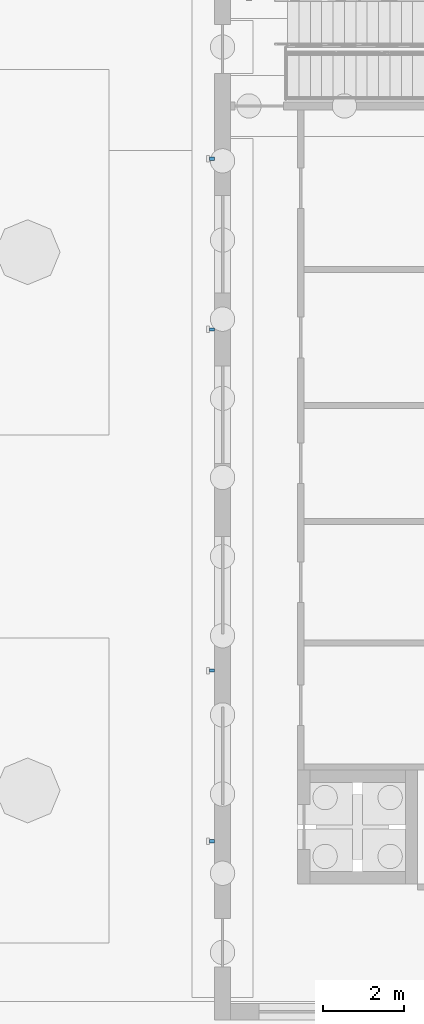
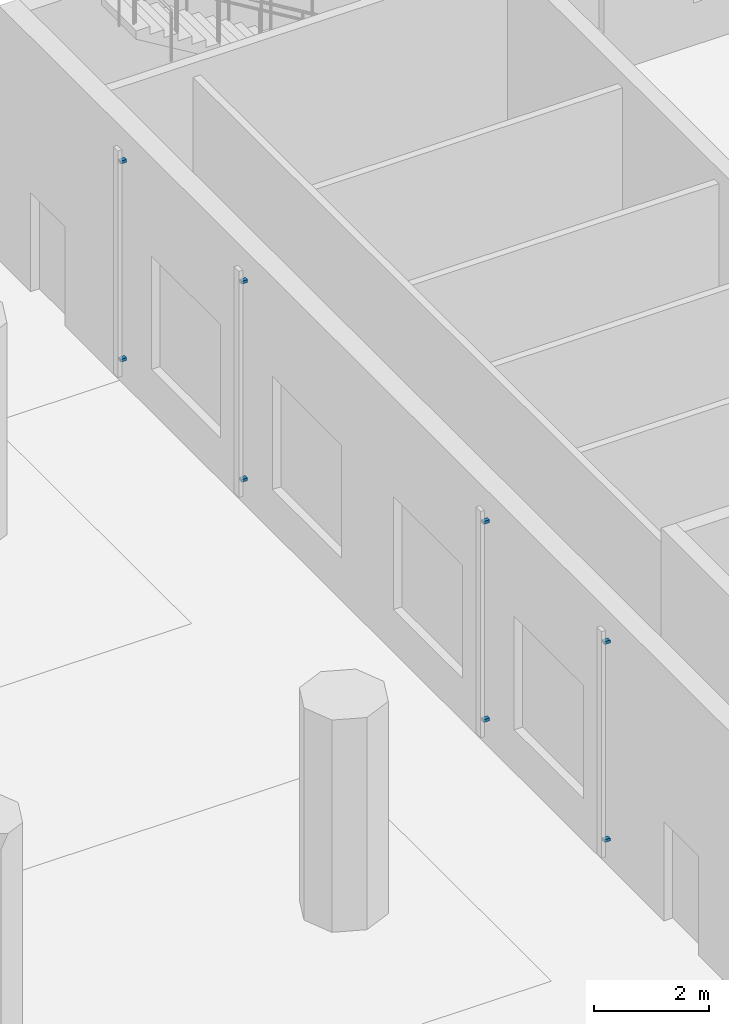
# One storey, part 91 of 127: 8 discrete accessories.
"""IFC4 building model written with IfcOpenShell, lengths in metres."""

from ifc_helpers import new_model, si_unit, direction, frame, origin, origin_2d, place, context, subcontext, project, spatial, rectangle, extrude, material, type_object, element, save


model = new_model("IFC4")

# Units and contexts
model_context = context("Model", 3, precision=1e-05, world=origin(), true_north=direction((0.0, 1.0)))
body_context = subcontext(model_context, "Body", "Model", "MODEL_VIEW")
ifc_project = project(units=[si_unit("LENGTHUNIT", "METRE"), si_unit("AREAUNIT", "SQUARE_METRE"), si_unit("VOLUMEUNIT", "CUBIC_METRE"), si_unit("PLANEANGLEUNIT", "RADIAN"), si_unit("MASSUNIT", "GRAM", prefix="KILO")], contexts=[model_context])

# Site, building, storey
site_placement = place(None, origin())
site = spatial("IfcSite", under=ifc_project, at=site_placement, CompositionType="ELEMENT")
building_placement = place(site_placement, origin())
building = spatial("IfcBuilding", under=site, at=building_placement, Name="Ljudholm Concert House", CompositionType="ELEMENT")
storey_placement = place(building_placement, origin())
storey = spatial("IfcBuildingStorey", under=building, at=storey_placement, Name="L00", CompositionType="ELEMENT", Elevation=0.0)

# Discrete accessories
ifc_material = material(Name="Stainless steel bracket", Category="steel")
discrete_accessory_type = type_object("IfcDiscreteAccessoryType", Name="BRACKET 120", PredefinedType="BRACKET", material=ifc_material)
for number, where, z_axis, x_axis, name in (
    (1, (62.5400390625, 151.0, 0.570068359375), (0.0, 0.0, 1.0), (-1.0, 0.0, 0.0), "Fin bracket"),
    (2, (62.5400390625, 151.0, 4.77001953125), (0.0, 0.0, 1.0), (-1.0, 0.0, 0.0), "Fin bracket"),
    (3, (62.5400390625, 155.199951171875, 0.570068359375), (0.0, 0.0, 1.0), (-1.0, 0.0, 0.0), "Fin bracket"),
    (4, (62.5400390625, 155.199951171875, 4.77001953125), (0.0, 0.0, 1.0), (-1.0, 0.0, 0.0), "Fin bracket"),
    (5, (62.5400390625, 163.60009765625, 0.570068359375), (0.0, 0.0, 1.0), (-1.0, 0.0, 0.0), "Fin bracket"),
    (6, (62.5400390625, 163.60009765625, 4.77001953125), (0.0, 0.0, 1.0), (-1.0, 0.0, 0.0), "Fin bracket"),
    (7, (62.5400390625, 167.800048828125, 0.570068359375), (0.0, 0.0, 1.0), (-1.0, 0.0, 0.0), "Fin bracket"),
    (8, (62.5400390625, 167.800048828125, 4.77001953125), (0.0, 0.0, 1.0), (-1.0, 0.0, 0.0), "Fin bracket"),
):
    element("IfcDiscreteAccessory", number, at=place(storey_placement, frame(where, z_axis=z_axis, x_axis=x_axis)), inside=storey, type_object=discrete_accessory_type, Name=name, PredefinedType="BRACKET", context=body_context, shape_type="SweptSolid", body=[
        extrude(rectangle(XDim=0.1201171875, YDim=0.080078125, at=origin_2d()), origin(), (0.0, 0.0, 1.0), 0.06005859375),
    ])

save(model, "model.ifc")
